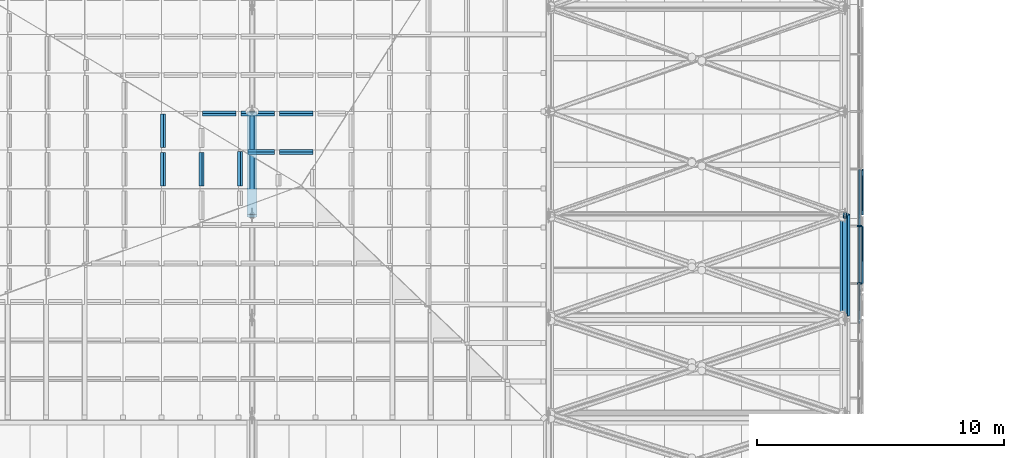
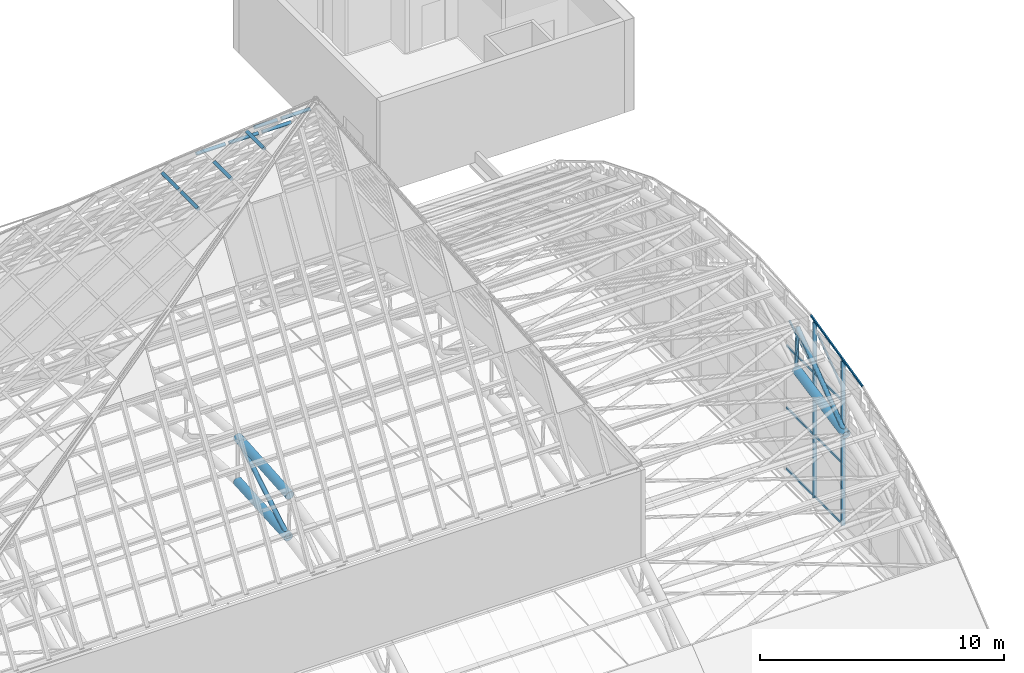
# One storey, part 31 of 110: 26 members, 1 element without a shape of its own.
"""IFC4 building model written with IfcOpenShell, lengths in metres."""

from ifc_helpers import new_model, si_unit, direction, frame, origin, origin_2d, place, context, subcontext, project, spatial, rectangle, hollow_rectangle, hollow_circle, extrude, material, layer, layer_set, material_profile, profile_set, type_object, element, aggregate, save


model = new_model("IFC4")

# Units and contexts
model_context = context("Model", 3, precision=1e-05, world=origin(), true_north=direction((0.0, 1.0)))
body_context = subcontext(model_context, "Body", "Model", "MODEL_VIEW")
ifc_project = project(units=[si_unit("LENGTHUNIT", "METRE"), si_unit("AREAUNIT", "SQUARE_METRE"), si_unit("VOLUMEUNIT", "CUBIC_METRE"), si_unit("PLANEANGLEUNIT", "RADIAN"), si_unit("MASSUNIT", "GRAM", prefix="KILO")], contexts=[model_context])

# Site, building, storey
site_placement = place(None, origin())
site = spatial("IfcSite", under=ifc_project, at=site_placement, CompositionType="ELEMENT")
building_placement = place(site_placement, origin())
building = spatial("IfcBuilding", under=site, at=building_placement, Name="Windward Yard Aquatics Centre", CompositionType="ELEMENT")
storey_placement = place(building_placement, frame((0.0, 0.0, 22.60009765625)))
storey = spatial("IfcBuildingStorey", under=building, at=storey_placement, Name="L05", CompositionType="ELEMENT", Elevation=22.60009765625)

# Curtain wall, members
ifc_material_1 = material(Name="Glass and aluminium curtain wall", Category="aluminium")
ifc_layer = layer(ifc_material_1, 0.179931640625)
ifc_layer_set = layer_set([ifc_layer], Name="H gable glazing system double glazed 8+16+8")
curtain_wall_type = type_object("IfcCurtainWallType", Name="H gable glazing system double glazed 8+16+8", PredefinedType="NOTDEFINED", material=ifc_layer_set)
curtain_wall_placement = place(storey_placement, origin())
curtain_wall = element("IfcCurtainWall", 1, at=curtain_wall_placement, inside=storey, type_object=curtain_wall_type, Name="Gable glazing E", PredefinedType="NOTDEFINED")
ifc_material_2 = material(Name="Aluminium 6063-T6 anodised", Category="aluminium")
ifc_material_profile_1 = material_profile(ifc_material_2, rectangle(XDim=0.06494140625, YDim=0.179931640625, at=origin_2d()), Name="H CW mullion 65x180")
ifc_profile_set_1 = profile_set([ifc_material_profile_1], Name="Aluminium 6063-T6 anodised")
member_type_1 = type_object("IfcMemberType", Name="H CW mullion 65x180", PredefinedType="MULLION", material=ifc_profile_set_1)
member_1_placement = place(storey_placement, frame((144.590087890625, 54.042236328125, 0.0), z_axis=(0.0, 0.0, 1.0), x_axis=(0.0, 1.0, 0.0)))
member_1 = element("IfcMember", 2, at=member_1_placement, type_object=member_type_1, Name="Gable mullion 7", PredefinedType="MULLION", context=body_context, shape_type="SweptSolid", body=[
    extrude(rectangle(XDim=0.06494140625, YDim=0.179931640625, at=origin_2d()), origin(), (0.0, 0.0, 1.0), 8.22998046875),
])
member_2_placement = place(storey_placement, frame((144.590087890625, 56.361572265625, 0.0), z_axis=(0.0, 0.0, 1.0), x_axis=(0.0, 1.0, 0.0)))
member_2 = element("IfcMember", 3, at=member_2_placement, type_object=member_type_1, Name="Gable mullion 8", PredefinedType="MULLION", context=body_context, shape_type="SweptSolid", body=[
    extrude(rectangle(XDim=0.06494140625, YDim=0.179931640625, at=origin_2d()), origin(), (0.0, 0.0, 1.0), 8.771240234375),
])
ifc_material_profile_2 = material_profile(ifc_material_2, rectangle(XDim=0.06494140625, YDim=0.10009765625, at=origin_2d()), Name="H CW transom 65x100")
ifc_profile_set_2 = profile_set([ifc_material_profile_2], Name="Aluminium 6063-T6 anodised")
member_type_2 = type_object("IfcMemberType", Name="H CW transom 65x100", PredefinedType="USERDEFINED", material=ifc_profile_set_2)
member_3_placement = place(storey_placement, frame((144.590087890625, 52.43505859375, 7.913818359375), z_axis=(0.0, 0.973831665081, 0.227270517413), x_axis=(-1.0, 0.0, 0.0)))
member_3 = element("IfcMember", 4, at=member_3_placement, type_object=member_type_2, Name="Gable head rail 4", ObjectType="TRANSOM", PredefinedType="USERDEFINED", context=body_context, shape_type="SweptSolid", body=[
    extrude(rectangle(XDim=0.06494140625, YDim=0.10009765625, at=origin_2d()), origin(), (0.0, 0.0, 1.0), 4.33984375),
])
member_4_placement = place(storey_placement, frame((144.590087890625, 54.07470703125, 0.0498046875), z_axis=(0.0, 1.0, 0.0), x_axis=(-1.0, 0.0, 0.0)))
member_4 = element("IfcMember", 5, at=member_4_placement, type_object=member_type_2, Name="Gable transom 7.1", ObjectType="TRANSOM", PredefinedType="USERDEFINED", context=body_context, shape_type="SweptSolid", body=[
    extrude(rectangle(XDim=0.06494140625, YDim=0.10009765625, at=origin_2d()), origin(), (0.0, 0.0, 1.0), 2.25439453125),
])
member_5_placement = place(storey_placement, frame((144.590087890625, 54.07470703125, 3.099853515625), z_axis=(0.0, 1.0, 0.0), x_axis=(-1.0, 0.0, 0.0)))
member_5 = element("IfcMember", 6, at=member_5_placement, type_object=member_type_2, Name="Gable transom 7.2", ObjectType="TRANSOM", PredefinedType="USERDEFINED", context=body_context, shape_type="SweptSolid", body=[
    extrude(rectangle(XDim=0.06494140625, YDim=0.10009765625, at=origin_2d()), origin(), (0.0, 0.0, 1.0), 2.25439453125),
])
member_6_placement = place(storey_placement, frame((144.590087890625, 54.07470703125, 6.199951171875), z_axis=(0.0, 1.0, 0.0), x_axis=(-1.0, 0.0, 0.0)))
member_6 = element("IfcMember", 7, at=member_6_placement, type_object=member_type_2, Name="Gable transom 7.3", ObjectType="TRANSOM", PredefinedType="USERDEFINED", context=body_context, shape_type="SweptSolid", body=[
    extrude(rectangle(XDim=0.06494140625, YDim=0.10009765625, at=origin_2d()), origin(), (0.0, 0.0, 1.0), 2.25439453125),
])
member_7_placement = place(storey_placement, frame((144.590087890625, 56.39404296875, 0.0498046875), z_axis=(0.0, 1.0, 0.0), x_axis=(-1.0, 0.0, 0.0)))
member_7 = element("IfcMember", 8, at=member_7_placement, type_object=member_type_2, Name="Gable transom 8.1", ObjectType="TRANSOM", PredefinedType="USERDEFINED", context=body_context, shape_type="SweptSolid", body=[
    extrude(rectangle(XDim=0.06494140625, YDim=0.10009765625, at=origin_2d()), origin(), (0.0, 0.0, 1.0), 2.254150390625),
])
member_8_placement = place(storey_placement, frame((144.590087890625, 56.39404296875, 3.099853515625), z_axis=(0.0, 1.0, 0.0), x_axis=(-1.0, 0.0, 0.0)))
member_8 = element("IfcMember", 9, at=member_8_placement, type_object=member_type_2, Name="Gable transom 8.2", ObjectType="TRANSOM", PredefinedType="USERDEFINED", context=body_context, shape_type="SweptSolid", body=[
    extrude(rectangle(XDim=0.06494140625, YDim=0.10009765625, at=origin_2d()), origin(), (0.0, 0.0, 1.0), 2.254150390625),
])
member_9_placement = place(storey_placement, frame((144.590087890625, 56.39404296875, 6.199951171875), z_axis=(0.0, 1.0, 0.0), x_axis=(-1.0, 0.0, 0.0)))
member_9 = element("IfcMember", 10, at=member_9_placement, type_object=member_type_2, Name="Gable transom 8.3", ObjectType="TRANSOM", PredefinedType="USERDEFINED", context=body_context, shape_type="SweptSolid", body=[
    extrude(rectangle(XDim=0.06494140625, YDim=0.10009765625, at=origin_2d()), origin(), (0.0, 0.0, 1.0), 2.254150390625),
])
member_10_placement = place(storey_placement, frame((144.71240234375, 54.07470703125, 6.493896484375), z_axis=(0.0, 0.80243353281, 0.596741506368), x_axis=(-1.0, 0.0, 0.0)))
member_10 = element("IfcMember", 11, at=member_10_placement, type_object=member_type_2, Name="Gable cover strip 4.3", ObjectType="COVER STRIP", PredefinedType="USERDEFINED", context=body_context, shape_type="SweptSolid", body=[
    extrude(rectangle(XDim=0.06494140625, YDim=0.10009765625, at=origin_2d()), origin(), (0.0, 0.0, 1.0), 2.809326171875),
])
member_11_placement = place(storey_placement, frame((144.71240234375, 56.83935546875, 6.323486328125), z_axis=(0.0, 0.859604754402, 0.510959554378), x_axis=(-1.0, 0.0, 0.0)))
member_11 = element("IfcMember", 12, at=member_11_placement, type_object=member_type_2, Name="Gable cover strip 5.1", ObjectType="COVER STRIP", PredefinedType="USERDEFINED", context=body_context, shape_type="SweptSolid", body=[
    extrude(rectangle(XDim=0.06494140625, YDim=0.10009765625, at=origin_2d()), origin(), (0.0, 0.0, 1.0), 2.104248046875),
])
aggregate(curtain_wall, [member_1, member_2, member_3, member_4, member_5, member_6, member_7, member_8, member_9, member_10, member_11])

# Members
ifc_material_3 = material(Name="Steel ASTM A500 Gr C", Category="steel")
ifc_material_profile_3 = material_profile(ifc_material_3, hollow_circle(Radius=0.084228515625, WallThickness=0.010986328125, at=origin_2d()), Name="HSS168.3X11")
ifc_profile_set_3 = profile_set([ifc_material_profile_3], Name="Steel ASTM A500 Gr C")
member_type_3 = type_object("IfcMemberType", Name="H arch post HSS168.3X11", PredefinedType="POST", material=ifc_profile_set_3)
member_12_placement = place(storey_placement, frame((144.0, 56.83935546875, 6.323486328125), z_axis=(0.0, -0.050215263417, 0.998738417865), x_axis=(1.0, 0.0, 0.0)))
element("IfcMember", 13, at=member_12_placement, inside=storey, type_object=member_type_3, Name="H.AT.8.WP05", PredefinedType="POST", context=body_context, shape_type="SweptSolid", body=[
    extrude(hollow_circle(Radius=0.084228515625, WallThickness=0.010986328125, at=origin_2d()), origin(), (0.0, 0.0, 1.0), 2.14892578125),
])
ifc_material_profile_4 = material_profile(ifc_material_3, hollow_circle(Radius=0.203125, WallThickness=0.015869140625, at=origin_2d()), Name="HSS406.4X15.9")
ifc_profile_set_4 = profile_set([ifc_material_profile_4], Name="Steel ASTM A500 Gr C")
member_type_4 = type_object("IfcMemberType", Name="H arch top chord HSS406.4X15.9", PredefinedType="CHORD", material=ifc_profile_set_4)
member_13_placement = place(storey_placement, frame((120.0, 56.7314453125, 8.4697265625), z_axis=(0.0, 0.997080259355, 0.076360699341), x_axis=(-1.0, 0.0, 0.0)))
element("IfcMember", 14, at=member_13_placement, inside=storey, type_object=member_type_4, Name="H.AT.6.TC05", PredefinedType="CHORD", context=body_context, shape_type="SweptSolid", body=[
    extrude(hollow_circle(Radius=0.203125, WallThickness=0.015869140625, at=origin_2d()), origin(), (0.0, 0.0, 1.0), 4.281005859375),
])
member_14_placement = place(storey_placement, frame((120.0, 56.83935546875, 6.323486328125), z_axis=(0.0, 0.997851241995, 0.065520217098), x_axis=(-1.0, 0.0, 0.0)))
element("IfcMember", 15, at=member_14_placement, inside=storey, type_object=member_type_4, Name="H.AT.6.BC05", PredefinedType="CHORD", context=body_context, shape_type="SweptSolid", body=[
    extrude(hollow_circle(Radius=0.203125, WallThickness=0.015869140625, at=origin_2d()), origin(), (0.0, 0.0, 1.0), 4.169677734375),
])
member_15_placement = place(storey_placement, frame((144.0, 52.750244140625, 5.5087890625), z_axis=(0.0, 0.980724544319, 0.195395414914), x_axis=(-1.0, 0.0, 0.0)))
element("IfcMember", 16, at=member_15_placement, inside=storey, type_object=member_type_4, Name="H.AT.8.BC04", PredefinedType="CHORD", context=body_context, shape_type="SweptSolid", body=[
    extrude(hollow_circle(Radius=0.203125, WallThickness=0.015869140625, at=origin_2d()), origin(), (0.0, 0.0, 1.0), 4.16943359375),
])
ifc_material_profile_5 = material_profile(ifc_material_3, hollow_circle(Radius=0.109619140625, WallThickness=0.00830078125, at=origin_2d()), Name="HSS219.1X8.2")
ifc_profile_set_5 = profile_set([ifc_material_profile_5], Name="Steel ASTM A500 Gr C")
member_type_5 = type_object("IfcMemberType", Name="H arch web diagonal HSS219.1X8.2", PredefinedType="BRACE", material=ifc_profile_set_5)
member_16_placement = place(storey_placement, frame((120.0, 56.83935546875, 6.323486328125), z_axis=(0.0, 0.859604150376, 0.51096057055), x_axis=(-1.0, 0.0, 0.0)))
element("IfcMember", 17, at=member_16_placement, inside=storey, type_object=member_type_5, Name="H.AT.6.WD05", PredefinedType="BRACE", context=body_context, shape_type="SweptSolid", body=[
    extrude(hollow_circle(Radius=0.109619140625, WallThickness=0.00830078125, at=origin_2d()), origin(), (0.0, 0.0, 1.0), 4.840087890625),
])
member_17_placement = place(storey_placement, frame((144.0, 52.750244140625, 5.5087890625), z_axis=(0.0, 0.802408568981, 0.596775073563), x_axis=(-1.0, 0.0, 0.0)))
element("IfcMember", 18, at=member_17_placement, inside=storey, type_object=member_type_5, Name="H.AT.8.WD04", PredefinedType="BRACE", context=body_context, shape_type="SweptSolid", body=[
    extrude(hollow_circle(Radius=0.109619140625, WallThickness=0.00830078125, at=origin_2d()), origin(), (0.0, 0.0, 1.0), 4.961669921875),
])
ifc_material_profile_6 = material_profile(ifc_material_3, hollow_rectangle(XDim=0.15234375, YDim=0.15234375, WallThickness=0.009521484375, InnerFilletRadius=0.004638671875, OuterFilletRadius=0.01416015625, at=origin_2d()), Name="HSS152X152X9.5")
ifc_profile_set_6 = profile_set([ifc_material_profile_6], Name="Steel ASTM A500 Gr C")
member_type_6 = type_object("IfcMemberType", Name="H lantern purlin HSS152X152X9.5", PredefinedType="PURLIN", material=ifc_profile_set_6)
for number, where, z_axis, x_axis, name in (
    (19, (117.992919921875, 60.91943359375, 23.71728515625), (1.0, 0.0, 0.0), (0.0, 0.695550485066, -0.718477224917), "H.LN.U.03.08.02"),
    (20, (119.54931640625, 60.91943359375, 23.71728515625), (1.0, 0.0, 0.0), (0.0, 0.695550485066, -0.718477224917), "H.LN.U.03.08.03"),
    (21, (121.10595703125, 60.91943359375, 23.71728515625), (1.0, 0.0, 0.0), (0.0, 0.695550485066, -0.718477224917), "H.LN.U.03.08.04"),
):
    element("IfcMember", number, at=place(storey_placement, frame(where, z_axis=z_axis, x_axis=x_axis)), inside=storey, type_object=member_type_6, Name=name, PredefinedType="PURLIN", context=body_context, shape_type="SweptSolid", body=[
        extrude(hollow_rectangle(XDim=0.15234375, YDim=0.15234375, WallThickness=0.009521484375, InnerFilletRadius=0.004638671875, OuterFilletRadius=0.01416015625, at=origin_2d()), origin(), (0.0, 0.0, 1.0), 1.353271484375),
    ])
member_18_placement = place(storey_placement, frame((119.8310546875, 59.358154296875, 25.330078125), z_axis=(1.0, 0.0, 0.0), x_axis=(0.0, 0.695550485066, -0.718477224917)))
element("IfcMember", 22, at=member_18_placement, inside=storey, type_object=member_type_6, Name="H.LN.U.03.09.01", PredefinedType="PURLIN", context=body_context, shape_type="SweptSolid", body=[
    extrude(hollow_rectangle(XDim=0.15234375, YDim=0.15234375, WallThickness=0.009521484375, InnerFilletRadius=0.004638671875, OuterFilletRadius=0.01416015625, at=origin_2d()), origin(), (0.0, 0.0, 1.0), 1.071533203125),
])
member_19_placement = place(storey_placement, frame((121.10595703125, 59.358154296875, 25.330078125), z_axis=(1.0, 0.0, 0.0), x_axis=(0.0, 0.695550485066, -0.718477224917)))
element("IfcMember", 23, at=member_19_placement, inside=storey, type_object=member_type_6, Name="H.LN.U.03.09.02", PredefinedType="PURLIN", context=body_context, shape_type="SweptSolid", body=[
    extrude(hollow_rectangle(XDim=0.15234375, YDim=0.15234375, WallThickness=0.009521484375, InnerFilletRadius=0.004638671875, OuterFilletRadius=0.01416015625, at=origin_2d()), origin(), (0.0, 0.0, 1.0), 1.353271484375),
])
member_20_placement = place(storey_placement, frame((116.393798828125, 57.979248046875, 23.299072265625), z_axis=(0.0, 1.0, 0.0), x_axis=(-0.850755160219, 0.0, -0.525562229771)))
element("IfcMember", 24, at=member_20_placement, inside=storey, type_object=member_type_6, Name="H.LN.U.04.13.03", PredefinedType="PURLIN", context=body_context, shape_type="SweptSolid", body=[
    extrude(hollow_rectangle(XDim=0.15234375, YDim=0.15234375, WallThickness=0.009521484375, InnerFilletRadius=0.004638671875, OuterFilletRadius=0.01416015625, at=origin_2d()), origin(), (0.0, 0.0, 1.0), 1.35791015625),
])
member_21_placement = place(storey_placement, frame((116.393798828125, 59.540283203125, 23.299072265625), z_axis=(0.0, 1.0, 0.0), x_axis=(-0.850755160219, 0.0, -0.525562229771)))
element("IfcMember", 25, at=member_21_placement, inside=storey, type_object=member_type_6, Name="H.LN.U.04.13.04", PredefinedType="PURLIN", context=body_context, shape_type="SweptSolid", body=[
    extrude(hollow_rectangle(XDim=0.15234375, YDim=0.15234375, WallThickness=0.009521484375, InnerFilletRadius=0.004638671875, OuterFilletRadius=0.01416015625, at=origin_2d()), origin(), (0.0, 0.0, 1.0), 1.358154296875),
])
member_22_placement = place(storey_placement, frame((117.9501953125, 57.979248046875, 24.260498046875), z_axis=(0.0, 1.0, 0.0), x_axis=(-0.850755160219, 0.0, -0.525562229771)))
element("IfcMember", 26, at=member_22_placement, inside=storey, type_object=member_type_6, Name="H.LN.U.04.14.02", PredefinedType="PURLIN", context=body_context, shape_type="SweptSolid", body=[
    extrude(hollow_rectangle(XDim=0.15234375, YDim=0.15234375, WallThickness=0.009521484375, InnerFilletRadius=0.004638671875, OuterFilletRadius=0.01416015625, at=origin_2d()), origin(), (0.0, 0.0, 1.0), 1.35791015625),
])
member_23_placement = place(storey_placement, frame((119.5068359375, 57.979248046875, 25.22216796875), z_axis=(0.0, 1.0, 0.0), x_axis=(-0.850755160219, 0.0, -0.525562229771)))
element("IfcMember", 27, at=member_23_placement, inside=storey, type_object=member_type_6, Name="H.LN.U.04.15.02", PredefinedType="PURLIN", context=body_context, shape_type="SweptSolid", body=[
    extrude(hollow_rectangle(XDim=0.15234375, YDim=0.15234375, WallThickness=0.009521484375, InnerFilletRadius=0.004638671875, OuterFilletRadius=0.01416015625, at=origin_2d()), origin(), (0.0, 0.0, 1.0), 1.4052734375),
])

save(model, "model.ifc")
